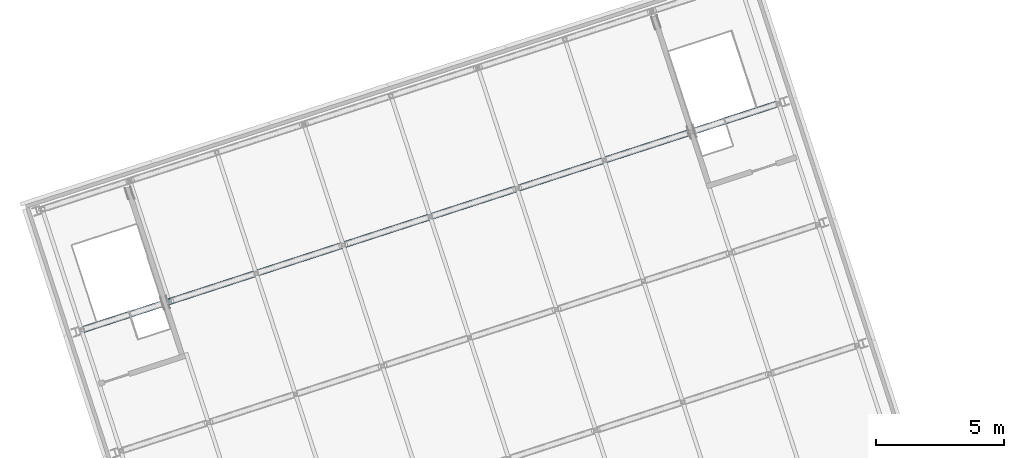
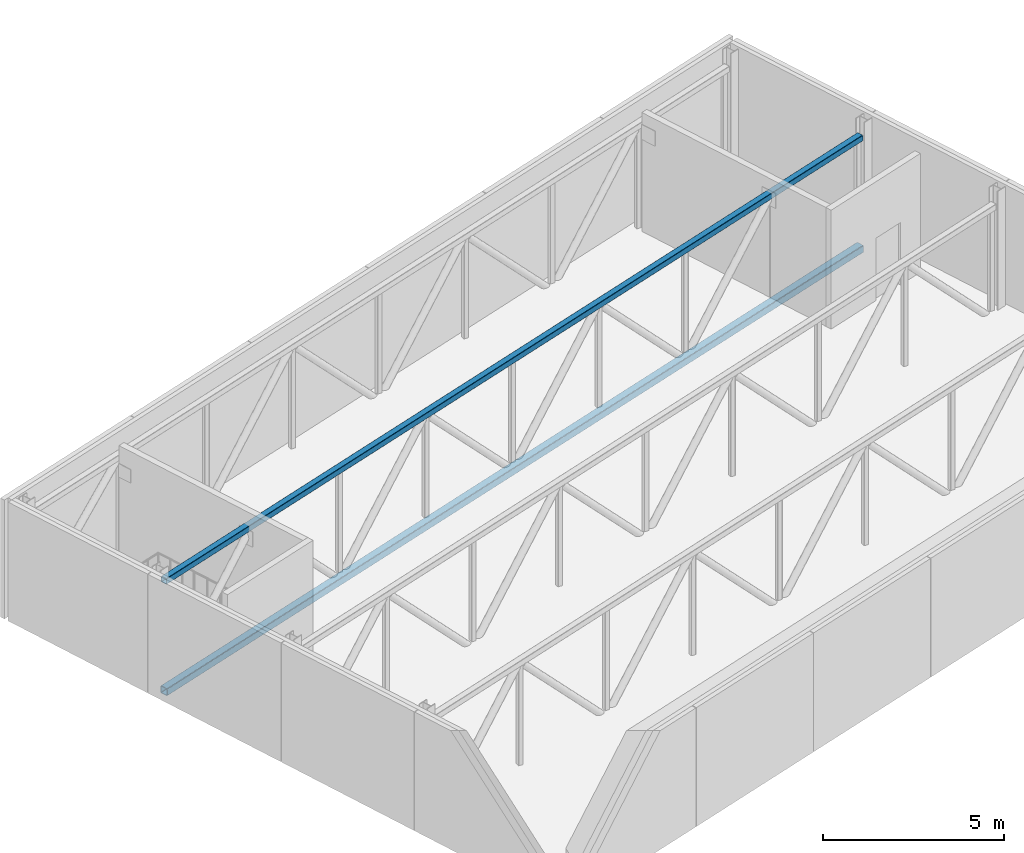
# One storey, part 9 of 52: 2 members.
"""IFC4 building model written with IfcOpenShell, lengths in metres."""

from ifc_helpers import new_model, si_unit, direction, frame, origin, origin_2d, place, context, subcontext, project, spatial, hollow_rectangle, extrude, material, material_profile, profile_set, type_object, element, save


model = new_model("IFC4")

# Units and contexts
model_context = context("Model", 3, precision=1e-05, world=origin(), true_north=direction((0.0, 1.0)))
body_context = subcontext(model_context, "Body", "Model", "MODEL_VIEW")
ifc_project = project(units=[si_unit("LENGTHUNIT", "METRE"), si_unit("AREAUNIT", "SQUARE_METRE"), si_unit("VOLUMEUNIT", "CUBIC_METRE"), si_unit("PLANEANGLEUNIT", "RADIAN"), si_unit("MASSUNIT", "GRAM", prefix="KILO")], contexts=[model_context])

# Site, building, storey
site_placement = place(None, origin())
site = spatial("IfcSite", under=ifc_project, at=site_placement, CompositionType="ELEMENT")
building_placement = place(site_placement, origin())
building = spatial("IfcBuilding", under=site, at=building_placement, Name="Tuart Plaza Theatre", CompositionType="ELEMENT")
storey_placement = place(building_placement, frame((0.0, 0.0, 25.5)))
storey = spatial("IfcBuildingStorey", under=building, at=storey_placement, Name="L06", CompositionType="ELEMENT", Elevation=25.5)

# Members
ifc_material_1 = material(Name="Steel Grade C350L0", Category="steel")
ifc_material_profile_1 = material_profile(ifc_material_1, hollow_rectangle(XDim=0.199951171875, YDim=0.199951171875, WallThickness=0.010009765625, InnerFilletRadius=0.010009765625, OuterFilletRadius=0.02001953125, at=origin_2d()), Name="200x200x10 SHS")
ifc_profile_set_1 = profile_set([ifc_material_profile_1], Name="Steel Grade C350L0")
member_type_1 = type_object("IfcMemberType", Name="MEMBER Chord 200x200x10 SHS", PredefinedType="CHORD", material=ifc_profile_set_1)
member_1_placement = place(storey_placement, frame((36.8447265625, 82.990966796875, 3.447021484375), z_axis=(0.951055766824, 0.309019301002, 0.0), x_axis=(-0.309019301002, 0.951055766824, 0.0)))
element("IfcMember", 1, at=member_1_placement, inside=storey, type_object=member_type_1, Name="CH16", PredefinedType="CHORD", context=body_context, shape_type="SweptSolid", body=[
    extrude(hollow_rectangle(XDim=0.199951171875, YDim=0.199951171875, WallThickness=0.010009765625, InnerFilletRadius=0.010009765625, OuterFilletRadius=0.02001953125, at=origin_2d()), origin(), (0.0, 0.0, 1.0), 28.68896484375),
])
ifc_material_2 = material(Name="Steel Grade C350L0", Category="steel")
ifc_material_profile_2 = material_profile(ifc_material_2, hollow_rectangle(XDim=0.25, YDim=0.25, WallThickness=0.01611328125, InnerFilletRadius=0.01611328125, OuterFilletRadius=0.031982421875, at=origin_2d()), Name="250x250x16 SHS")
ifc_profile_set_2 = profile_set([ifc_material_profile_2], Name="Steel Grade C350L0")
member_type_2 = type_object("IfcMemberType", Name="MEMBER Chord 250x250x16 SHS", PredefinedType="CHORD", material=ifc_profile_set_2)
member_2_placement = place(storey_placement, frame((36.8447265625, 82.990966796875, -0.27490234375), z_axis=(0.951055766824, 0.309019301002, 0.0), x_axis=(-0.309019301002, 0.951055766824, 0.0)))
element("IfcMember", 2, at=member_2_placement, inside=storey, type_object=member_type_2, Name="CH15", PredefinedType="CHORD", context=body_context, shape_type="SweptSolid", body=[
    extrude(hollow_rectangle(XDim=0.25, YDim=0.25, WallThickness=0.01611328125, InnerFilletRadius=0.01611328125, OuterFilletRadius=0.031982421875, at=origin_2d()), origin(), (0.0, 0.0, 1.0), 28.68896484375),
])

save(model, "model.ifc")
